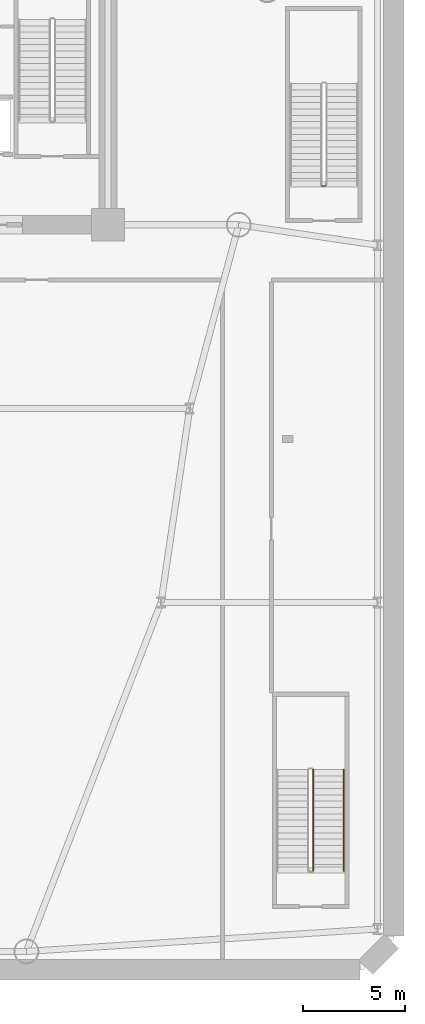
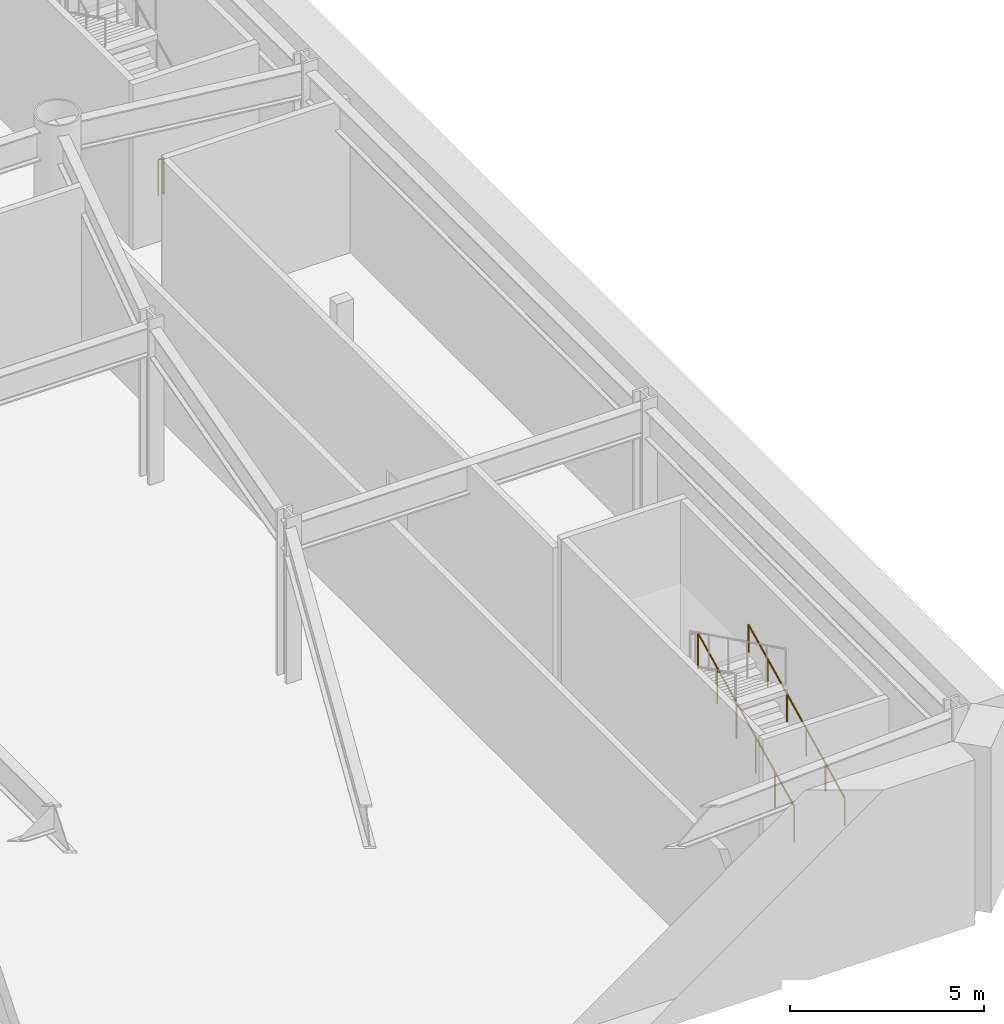
# One storey, part 8 of 9: 3 railings.
"""IFC4 building model written with IfcOpenShell, lengths in metres."""

from ifc_helpers import new_model, si_unit, direction, frame, origin, origin_2d, place, context, subcontext, project, spatial, circle, extrude, material, type_object, element, save


model = new_model("IFC4")

# Units and contexts
model_context = context("Model", 3, precision=1e-05, world=origin(), true_north=direction((0.0, 1.0)))
body_context = subcontext(model_context, "Body", "Model", "MODEL_VIEW")
ifc_project = project(units=[si_unit("LENGTHUNIT", "METRE"), si_unit("AREAUNIT", "SQUARE_METRE"), si_unit("VOLUMEUNIT", "CUBIC_METRE"), si_unit("PLANEANGLEUNIT", "RADIAN"), si_unit("MASSUNIT", "GRAM", prefix="KILO")], contexts=[model_context])

# Site, building, storey
site_placement = place(None, origin())
site = spatial("IfcSite", under=ifc_project, at=site_placement, CompositionType="ELEMENT")
building_placement = place(site_placement, origin())
building = spatial("IfcBuilding", under=site, at=building_placement, Name="Vaeldorn Concourse Tower", CompositionType="ELEMENT")
storey_placement = place(building_placement, frame((0.0, 0.0, -5.199951171875)))
storey = spatial("IfcBuildingStorey", under=building, at=storey_placement, Name="B01", CompositionType="ELEMENT", Elevation=-5.199951171875)

# Railings
ifc_material = material(Name="Anodised Bronze Aluminium", Category="aluminium")
railing_type_1 = type_object("IfcRailingType", Name="RL-STAIR-GUARD", PredefinedType="GUARDRAIL", material=ifc_material)
railing_1_placement = place(storey_placement, frame((64.64990234375, 38.39990234375, 0.0)))
element("IfcRailing", 1, at=railing_1_placement, inside=storey, type_object=railing_type_1, Name="B01 ST-4 stair guard 4", PredefinedType="GUARDRAIL", context=body_context, shape_type="SweptSolid", body=[
    extrude(circle(Radius=0.02392578125, at=origin_2d()), frame((0.0, 0.0, 1.1259765625), z_axis=(-1.0, 0.0, 0.0), x_axis=(0.0, -1.0, 0.0)), (0.0, 0.0, 1.0), 0.14990234375),
    extrude(circle(Radius=0.02099609375, at=origin_2d()), origin(), (0.0, 0.0, 1.0), 1.101806640625),
    extrude(circle(Radius=0.02099609375, at=origin_2d()), frame((-0.14990234375, 0.0, 0.0)), (0.0, 0.0, 1.0), 1.101806640625),
])
railing_2_placement = place(storey_placement, frame((64.050048828125, 4.85009765625, 0.15283203125)))
element("IfcRailing", 2, at=railing_2_placement, inside=storey, type_object=railing_type_1, Name="B01 ST-5 stair guard 1", PredefinedType="GUARDRAIL", context=body_context, shape_type="SweptSolid", body=[
    extrude(circle(Radius=0.02392578125, at=origin_2d()), frame((0.0, 0.0, 1.1259765625), z_axis=(0.0, 0.896798178328, 0.442439857323), x_axis=(-1.0, 0.0, 0.0)), (0.0, 0.0, 1.0), 5.53076171875),
    extrude(circle(Radius=0.02099609375, at=origin_2d()), origin(), (0.0, 0.0, 1.0), 1.101806640625),
    extrude(circle(Radius=0.02099609375, at=origin_2d()), frame((0.0, 0.991943359375, 0.489501953125)), (0.0, 0.0, 1.0), 1.101806640625),
    extrude(circle(Radius=0.02099609375, at=origin_2d()), frame((0.0, 1.98388671875, 0.978759765625)), (0.0, 0.0, 1.0), 1.101806640625),
    extrude(circle(Radius=0.02099609375, at=origin_2d()), frame((0.0, 2.97607421875, 1.46826171875)), (0.0, 0.0, 1.0), 1.101806640625),
    extrude(circle(Radius=0.02099609375, at=origin_2d()), frame((0.0, 3.968017578125, 1.95751953125)), (0.0, 0.0, 1.0), 1.101806640625),
    extrude(circle(Radius=0.02099609375, at=origin_2d()), frame((0.0, 4.9599609375, 2.447021484375)), (0.0, 0.0, 1.0), 1.101806640625),
])
railing_type_2 = type_object("IfcRailingType", Name="RL-STAIR-HANDRAIL", PredefinedType="HANDRAIL", material=ifc_material)
railing_3_placement = place(storey_placement, frame((65.550048828125, 4.85009765625, 0.15283203125)))
element("IfcRailing", 3, at=railing_3_placement, inside=storey, type_object=railing_type_2, Name="B01 ST-5 stair handrail 1", PredefinedType="HANDRAIL", context=body_context, shape_type="SweptSolid", body=[
    extrude(circle(Radius=0.02392578125, at=origin_2d()), frame((0.0, 0.0, 0.8759765625), z_axis=(0.0, 0.896798178328, 0.442439857323), x_axis=(-1.0, 0.0, 0.0)), (0.0, 0.0, 1.0), 5.53076171875),
    extrude(circle(Radius=0.02099609375, at=origin_2d()), origin(), (0.0, 0.0, 1.0), 0.851806640625),
    extrude(circle(Radius=0.02099609375, at=origin_2d()), frame((0.0, 0.991943359375, 0.489501953125)), (0.0, 0.0, 1.0), 0.851806640625),
    extrude(circle(Radius=0.02099609375, at=origin_2d()), frame((0.0, 1.98388671875, 0.978759765625)), (0.0, 0.0, 1.0), 0.851806640625),
    extrude(circle(Radius=0.02099609375, at=origin_2d()), frame((0.0, 2.97607421875, 1.46826171875)), (0.0, 0.0, 1.0), 0.851806640625),
    extrude(circle(Radius=0.02099609375, at=origin_2d()), frame((0.0, 3.968017578125, 1.95751953125)), (0.0, 0.0, 1.0), 0.851806640625),
    extrude(circle(Radius=0.02099609375, at=origin_2d()), frame((0.0, 4.9599609375, 2.447021484375)), (0.0, 0.0, 1.0), 0.851806640625),
])

save(model, "model.ifc")
